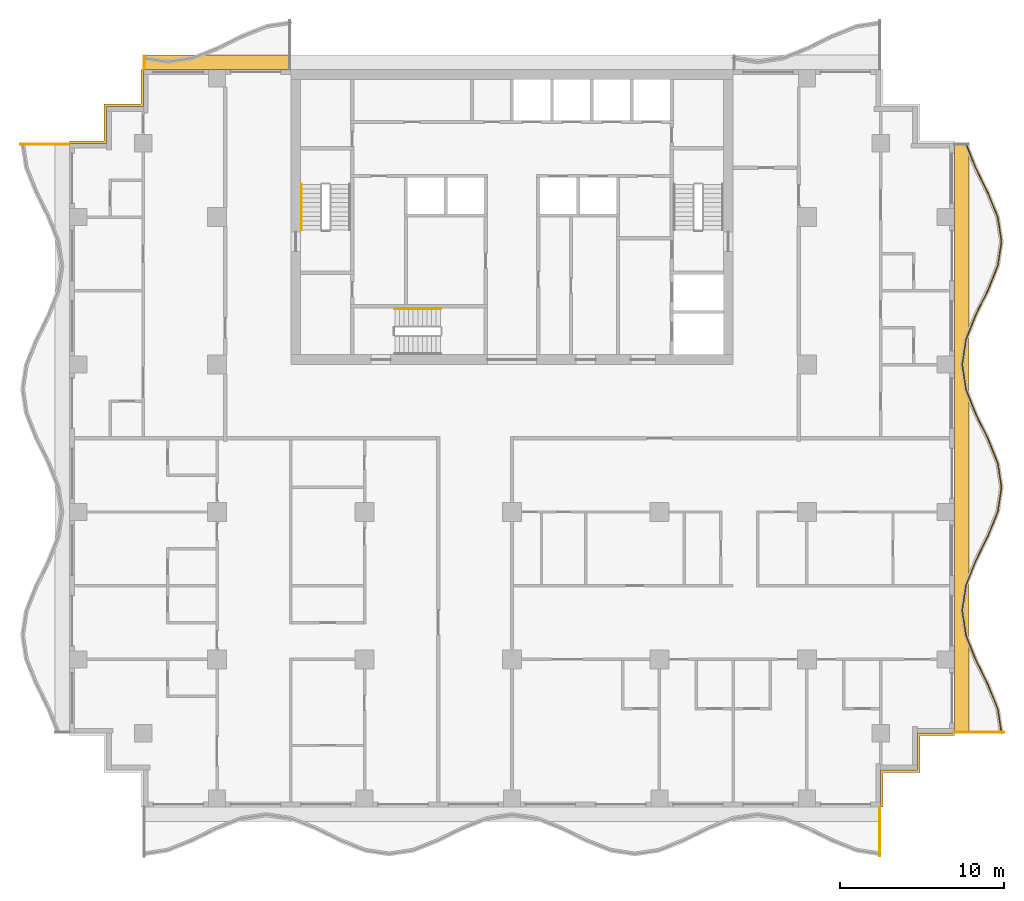
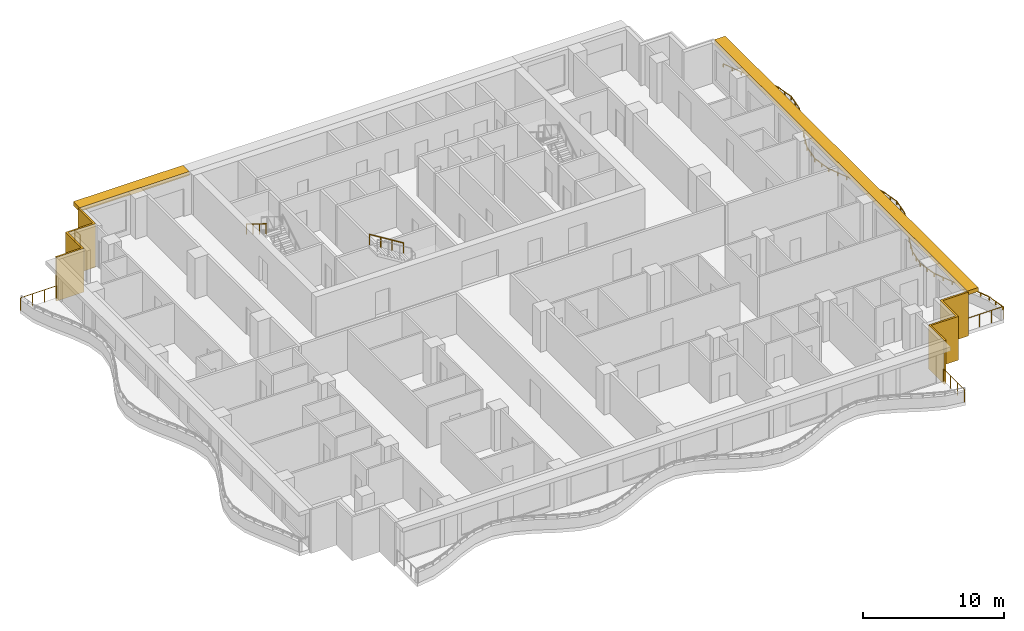
# One storey, part 10 of 11: 7 railings, 4 shading devices.
"""IFC4 building model written with IfcOpenShell, lengths in metres."""

from ifc_helpers import new_model, si_unit, direction, frame, origin, origin_2d, place, context, subcontext, project, spatial, polyline, rectangle, circle, outline, extrude, material, layer, layer_set, type_object, element, save


model = new_model("IFC4")

# Units and contexts
model_context = context("Model", 3, precision=1e-05, world=origin(), true_north=direction((0.0, 1.0)))
body_context = subcontext(model_context, "Body", "Model", "MODEL_VIEW")
ifc_project = project(units=[si_unit("LENGTHUNIT", "METRE"), si_unit("AREAUNIT", "SQUARE_METRE"), si_unit("VOLUMEUNIT", "CUBIC_METRE"), si_unit("PLANEANGLEUNIT", "RADIAN"), si_unit("MASSUNIT", "GRAM", prefix="KILO")], contexts=[model_context])

# Site, building, storey
site_placement = place(None, origin())
site = spatial("IfcSite", under=ifc_project, at=site_placement, CompositionType="ELEMENT")
building_placement = place(site_placement, origin())
building = spatial("IfcBuilding", under=site, at=building_placement, Name="Orbiselva Terraces", CompositionType="ELEMENT")
storey_placement = place(building_placement, frame((0.0, 0.0, 188.2)))
storey = spatial("IfcBuildingStorey", under=building, at=storey_placement, Name="L47", CompositionType="ELEMENT", Elevation=188.2)

# Railings
ifc_material_1 = material(Name="Stainless steel", Category="steel")
railing_type_1 = type_object("IfcRailingType", Name="CORE-HANDRAIL-900", PredefinedType="HANDRAIL", material=ifc_material_1)
railing_1_placement = place(storey_placement, frame((-12.85, 15.5, 2.072727)))
element("IfcRailing", 1, at=railing_1_placement, inside=storey, type_object=railing_type_1, Name="L47 S1 stair handrail 2", PredefinedType="HANDRAIL", context=body_context, shape_type="SweptSolid", body=[
    extrude(circle(Radius=0.024, at=origin_2d()), frame((0.0, 0.0, 0.876), z_axis=(0.0, -0.851088519012, 0.52502222125), x_axis=(1.0, 0.0, 0.0)), (0.0, 0.0, 1.0), 3.289905),
    extrude(circle(Radius=0.021, at=origin_2d()), origin(), (0.0, 0.0, 1.0), 0.852),
    extrude(circle(Radius=0.021, at=origin_2d()), frame((0.0, -0.933333, 0.575758)), (0.0, 0.0, 1.0), 0.852),
    extrude(circle(Radius=0.021, at=origin_2d()), frame((0.0, -1.866667, 1.151515)), (0.0, 0.0, 1.0), 0.852),
    extrude(circle(Radius=0.021, at=origin_2d()), frame((0.0, -2.8, 1.727273)), (0.0, 0.0, 1.0), 0.852),
])
railing_2_placement = place(storey_placement, frame((-4.35, 7.9, 2.072727)))
element("IfcRailing", 2, at=railing_2_placement, inside=storey, type_object=railing_type_1, Name="L47 S3 stair handrail 2", PredefinedType="HANDRAIL", context=body_context, shape_type="SweptSolid", body=[
    extrude(circle(Radius=0.024, at=origin_2d()), frame((0.0, 0.0, 0.876), z_axis=(-0.851088519012, 0.0, 0.52502222125), x_axis=(0.0, -1.0, 0.0)), (0.0, 0.0, 1.0), 3.289905),
    extrude(circle(Radius=0.021, at=origin_2d()), origin(), (0.0, 0.0, 1.0), 0.852),
    extrude(circle(Radius=0.021, at=origin_2d()), frame((-0.933333, 0.0, 0.575758)), (0.0, 0.0, 1.0), 0.852),
    extrude(circle(Radius=0.021, at=origin_2d()), frame((-1.866667, 0.0, 1.151515)), (0.0, 0.0, 1.0), 0.852),
    extrude(circle(Radius=0.021, at=origin_2d()), frame((-2.8, 0.0, 1.727273)), (0.0, 0.0, 1.0), 0.852),
])
ifc_material_2 = material(Name="Bonded two-ply safety glass balustrade, stainless steel posts", Category="steel")
railing_type_2 = type_object("IfcRailingType", Name="ENV-BALUSTRADE-1200", PredefinedType="BALUSTRADE", material=ifc_material_2)
railing_3_placement = place(storey_placement, frame((29.876434, -18.018879, 0.9)))
element("IfcRailing", 3, at=railing_3_placement, inside=storey, type_object=railing_type_2, Name="Balcony balustrade L47 E", PredefinedType="BALUSTRADE", context=body_context, shape_type="SweptSolid", body=[
    extrude(outline(polyline([(0.028868, 0.0), (0.014434, 0.025), (-0.014434, 0.025), (-0.028868, 0.0), (-0.014434, -0.025), (0.014434, -0.025), (0.028868, 0.0)])), frame((0.0, 0.0, 0.275), z_axis=(-0.151034103443, 0.988528552748, 0.0), x_axis=(-0.988528552748, -0.151034103443, 0.0)), (0.0, 0.0, 1.0), 1.503038),
    extrude(outline(polyline([(0.028868, 0.0), (0.014434, 0.025), (-0.014434, 0.025), (-0.028868, 0.0), (-0.014434, -0.025), (0.014434, -0.025), (0.028868, 0.0)])), frame((-0.22701, 1.485796, 0.275), z_axis=(-0.371391000387, 0.928476561272, 0.0), x_axis=(-0.928476561272, -0.371391000387, 0.0)), (0.0, 0.0, 1.0), 1.596261),
    extrude(outline(polyline([(0.028868, 0.0), (0.014434, 0.025), (-0.014434, 0.025), (-0.028868, 0.0), (-0.014434, -0.025), (0.014434, -0.025), (0.028868, 0.0)])), frame((-0.819847, 2.967887, 0.275), z_axis=(-0.443212307306, 0.896416672454, 0.0), x_axis=(-0.896416672454, -0.443212307306, 0.0)), (0.0, 0.0, 1.0), 1.673329),
    extrude(outline(polyline([(0.028868, 0.0), (0.014434, 0.025), (-0.014434, 0.025), (-0.028868, 0.0), (-0.014434, -0.025), (0.014434, -0.025), (0.028868, 0.0)])), frame((-1.561487, 4.467887, 0.275), z_axis=(-0.371390359967, 0.92847681744, 0.0), x_axis=(-0.92847681744, -0.371390359967, 0.0)), (0.0, 0.0, 1.0), 1.634838),
    extrude(outline(polyline([(0.028868, 0.0), (0.014434, 0.025), (-0.014434, 0.025), (-0.028868, 0.0), (-0.014434, -0.025), (0.014434, -0.025), (0.028868, 0.0)])), frame((-2.16865, 5.985796, 0.275), z_axis=(-0.151034211256, 0.988528536275, 0.0), x_axis=(-0.988528536275, -0.151034211256, 0.0)), (0.0, 0.0, 1.0), 1.550874),
    extrude(outline(polyline([(0.028868, 0.0), (0.014434, 0.025), (-0.014434, 0.025), (-0.028868, 0.0), (-0.014434, -0.025), (0.014434, -0.025), (0.028868, 0.0)])), frame((-2.402885, 7.518879, 0.275), z_axis=(0.151034211256, 0.988528536275, 0.0), x_axis=(-0.988528536275, 0.151034211256, 0.0)), (0.0, 0.0, 1.0), 1.550874),
    extrude(outline(polyline([(0.028868, 0.0), (0.014434, 0.025), (-0.014434, 0.025), (-0.028868, 0.0), (-0.014434, -0.025), (0.014434, -0.025), (0.028868, 0.0)])), frame((-2.16865, 9.051962, 0.275), z_axis=(0.371390359967, 0.92847681744, 0.0), x_axis=(-0.92847681744, 0.371390359967, 0.0)), (0.0, 0.0, 1.0), 1.634838),
    extrude(outline(polyline([(0.028868, 0.0), (0.014434, 0.025), (-0.014434, 0.025), (-0.028868, 0.0), (-0.014434, -0.025), (0.014434, -0.025), (0.028868, 0.0)])), frame((-1.561487, 10.569871, 0.275), z_axis=(0.443212307306, 0.896416672454, 0.0), x_axis=(-0.896416672454, 0.443212307306, 0.0)), (0.0, 0.0, 1.0), 1.673329),
    extrude(outline(polyline([(0.028868, 0.0), (0.014434, 0.025), (-0.014434, 0.025), (-0.028868, 0.0), (-0.014434, -0.025), (0.014434, -0.025), (0.028868, 0.0)])), frame((-0.819847, 12.069871, 0.275), z_axis=(0.371391000387, 0.928476561272, 0.0), x_axis=(-0.928476561272, 0.371391000387, 0.0)), (0.0, 0.0, 1.0), 1.596261),
    extrude(outline(polyline([(0.028868, 0.0), (0.014434, 0.025), (-0.014434, 0.025), (-0.028868, 0.0), (-0.014434, -0.025), (0.014434, -0.025), (0.028868, 0.0)])), frame((-0.22701, 13.551962, 0.275), z_axis=(0.151033749027, 0.988528606898, 0.0), x_axis=(-0.988528606898, 0.151033749027, 0.0)), (0.0, 0.0, 1.0), 1.48394),
    extrude(outline(polyline([(0.028868, 0.0), (0.014434, 0.025), (-0.014434, 0.025), (-0.028868, 0.0), (-0.014434, -0.025), (0.014434, -0.025), (0.028868, 0.0)])), frame((-0.002885, 15.018879, 0.275), z_axis=(-0.151033749027, 0.988528606898, 0.0), x_axis=(-0.988528606898, -0.151033749027, 0.0)), (0.0, 0.0, 1.0), 1.48394),
    extrude(outline(polyline([(0.028868, 0.0), (0.014434, 0.025), (-0.014434, 0.025), (-0.028868, 0.0), (-0.014434, -0.025), (0.014434, -0.025), (0.028868, 0.0)])), frame((-0.22701, 16.485796, 0.275), z_axis=(-0.371391000387, 0.928476561272, 0.0), x_axis=(-0.928476561272, -0.371391000387, 0.0)), (0.0, 0.0, 1.0), 1.596261),
    extrude(outline(polyline([(0.028868, 0.0), (0.014434, 0.025), (-0.014434, 0.025), (-0.028868, 0.0), (-0.014434, -0.025), (0.014434, -0.025), (0.028868, 0.0)])), frame((-0.819847, 17.967887, 0.275), z_axis=(-0.443212307306, 0.896416672454, 0.0), x_axis=(-0.896416672454, -0.443212307306, 0.0)), (0.0, 0.0, 1.0), 1.673329),
    extrude(outline(polyline([(0.028868, 0.0), (0.014434, 0.025), (-0.014434, 0.025), (-0.028868, 0.0), (-0.014434, -0.025), (0.014434, -0.025), (0.028868, 0.0)])), frame((-1.561487, 19.467887, 0.275), z_axis=(-0.371390359967, 0.92847681744, 0.0), x_axis=(-0.92847681744, -0.371390359967, 0.0)), (0.0, 0.0, 1.0), 1.634838),
    extrude(outline(polyline([(0.028868, 0.0), (0.014434, 0.025), (-0.014434, 0.025), (-0.028868, 0.0), (-0.014434, -0.025), (0.014434, -0.025), (0.028868, 0.0)])), frame((-2.16865, 20.985796, 0.275), z_axis=(-0.151034211256, 0.988528536275, 0.0), x_axis=(-0.988528536275, -0.151034211256, 0.0)), (0.0, 0.0, 1.0), 1.550874),
    extrude(outline(polyline([(0.028868, 0.0), (0.014434, 0.025), (-0.014434, 0.025), (-0.028868, 0.0), (-0.014434, -0.025), (0.014434, -0.025), (0.028868, 0.0)])), frame((-2.402885, 22.518879, 0.275), z_axis=(0.151034211256, 0.988528536275, 0.0), x_axis=(-0.988528536275, 0.151034211256, 0.0)), (0.0, 0.0, 1.0), 1.550874),
    extrude(outline(polyline([(0.028868, 0.0), (0.014434, 0.025), (-0.014434, 0.025), (-0.028868, 0.0), (-0.014434, -0.025), (0.014434, -0.025), (0.028868, 0.0)])), frame((-2.16865, 24.051962, 0.275), z_axis=(0.371390359967, 0.92847681744, 0.0), x_axis=(-0.92847681744, 0.371390359967, 0.0)), (0.0, 0.0, 1.0), 1.634838),
    extrude(outline(polyline([(0.028868, 0.0), (0.014434, 0.025), (-0.014434, 0.025), (-0.028868, 0.0), (-0.014434, -0.025), (0.014434, -0.025), (0.028868, 0.0)])), frame((-1.561487, 25.569871, 0.275), z_axis=(0.443212307306, 0.896416672454, 0.0), x_axis=(-0.896416672454, 0.443212307306, 0.0)), (0.0, 0.0, 1.0), 1.673329),
    extrude(outline(polyline([(0.028868, 0.0), (0.014434, 0.025), (-0.014434, 0.025), (-0.028868, 0.0), (-0.014434, -0.025), (0.014434, -0.025), (0.028868, 0.0)])), frame((-0.819847, 27.069871, 0.275), z_axis=(0.371391000387, 0.928476561272, 0.0), x_axis=(-0.928476561272, 0.371391000387, 0.0)), (0.0, 0.0, 1.0), 1.596261),
    extrude(outline(polyline([(0.028868, 0.0), (0.014434, 0.025), (-0.014434, 0.025), (-0.028868, 0.0), (-0.014434, -0.025), (0.014434, -0.025), (0.028868, 0.0)])), frame((-0.22701, 28.551962, 0.275), z_axis=(0.151033749027, 0.988528606898, 0.0), x_axis=(-0.988528606898, 0.151033749027, 0.0)), (0.0, 0.0, 1.0), 1.48394),
    extrude(outline(polyline([(0.028868, 0.0), (0.014434, 0.025), (-0.014434, 0.025), (-0.028868, 0.0), (-0.014434, -0.025), (0.014434, -0.025), (0.028868, 0.0)])), frame((-0.002885, 30.018879, 0.275), z_axis=(-0.151033749027, 0.988528606898, 0.0), x_axis=(-0.988528606898, -0.151033749027, 0.0)), (0.0, 0.0, 1.0), 1.48394),
    extrude(outline(polyline([(0.028868, 0.0), (0.014434, 0.025), (-0.014434, 0.025), (-0.028868, 0.0), (-0.014434, -0.025), (0.014434, -0.025), (0.028868, 0.0)])), frame((-0.22701, 31.485796, 0.275), z_axis=(-0.371391000387, 0.928476561272, 0.0), x_axis=(-0.928476561272, -0.371391000387, 0.0)), (0.0, 0.0, 1.0), 1.596261),
    extrude(outline(polyline([(0.028868, 0.0), (0.014434, 0.025), (-0.014434, 0.025), (-0.028868, 0.0), (-0.014434, -0.025), (0.014434, -0.025), (0.028868, 0.0)])), frame((-0.819847, 32.967887, 0.275), z_axis=(-0.443212307306, 0.896416672454, 0.0), x_axis=(-0.896416672454, -0.443212307306, 0.0)), (0.0, 0.0, 1.0), 1.673329),
    extrude(outline(polyline([(0.028868, 0.0), (0.014434, 0.025), (-0.014434, 0.025), (-0.028868, 0.0), (-0.014434, -0.025), (0.014434, -0.025), (0.028868, 0.0)])), frame((-1.561487, 34.467887, 0.275), z_axis=(-0.371390569957, 0.928476733444, 0.0), x_axis=(-0.928476733444, -0.371390569957, 0.0)), (0.0, 0.0, 1.0), 1.620469),
    extrude(rectangle(XDim=0.05, YDim=0.05, at=origin_2d()), origin(), (0.0, 0.0, 1.0), 0.25),
    extrude(rectangle(XDim=0.05, YDim=0.05, at=origin_2d()), frame((-0.113505, 0.742898, 0.0)), (0.0, 0.0, 1.0), 0.25),
    extrude(rectangle(XDim=0.05, YDim=0.05, at=origin_2d()), frame((-0.22701, 1.485796, 0.0)), (0.0, 0.0, 1.0), 0.25),
    extrude(rectangle(XDim=0.05, YDim=0.05, at=origin_2d()), frame((-0.523428, 2.226841, 0.0)), (0.0, 0.0, 1.0), 0.25),
    extrude(rectangle(XDim=0.05, YDim=0.05, at=origin_2d()), frame((-0.819847, 2.967887, 0.0)), (0.0, 0.0, 1.0), 0.25),
    extrude(rectangle(XDim=0.05, YDim=0.05, at=origin_2d()), frame((-1.190667, 3.717887, 0.0)), (0.0, 0.0, 1.0), 0.25),
    extrude(rectangle(XDim=0.05, YDim=0.05, at=origin_2d()), frame((-1.561487, 4.467887, 0.0)), (0.0, 0.0, 1.0), 0.25),
    extrude(rectangle(XDim=0.05, YDim=0.05, at=origin_2d()), frame((-1.865068, 5.226841, 0.0)), (0.0, 0.0, 1.0), 0.25),
    extrude(rectangle(XDim=0.05, YDim=0.05, at=origin_2d()), frame((-2.16865, 5.985796, 0.0)), (0.0, 0.0, 1.0), 0.25),
    extrude(rectangle(XDim=0.05, YDim=0.05, at=origin_2d()), frame((-2.285768, 6.752337, 0.0)), (0.0, 0.0, 1.0), 0.25),
    extrude(rectangle(XDim=0.05, YDim=0.05, at=origin_2d()), frame((-2.402885, 7.518879, 0.0)), (0.0, 0.0, 1.0), 0.25),
    extrude(rectangle(XDim=0.05, YDim=0.05, at=origin_2d()), frame((-2.285768, 8.28542, 0.0)), (0.0, 0.0, 1.0), 0.25),
    extrude(rectangle(XDim=0.05, YDim=0.05, at=origin_2d()), frame((-2.16865, 9.051962, 0.0)), (0.0, 0.0, 1.0), 0.25),
    extrude(rectangle(XDim=0.05, YDim=0.05, at=origin_2d()), frame((-1.865068, 9.810916, 0.0)), (0.0, 0.0, 1.0), 0.25),
    extrude(rectangle(XDim=0.05, YDim=0.05, at=origin_2d()), frame((-1.561487, 10.569871, 0.0)), (0.0, 0.0, 1.0), 0.25),
    extrude(rectangle(XDim=0.05, YDim=0.05, at=origin_2d()), frame((-1.190667, 11.319871, 0.0)), (0.0, 0.0, 1.0), 0.25),
    extrude(rectangle(XDim=0.05, YDim=0.05, at=origin_2d()), frame((-0.819847, 12.069871, 0.0)), (0.0, 0.0, 1.0), 0.25),
    extrude(rectangle(XDim=0.05, YDim=0.05, at=origin_2d()), frame((-0.523428, 12.810916, 0.0)), (0.0, 0.0, 1.0), 0.25),
    extrude(rectangle(XDim=0.05, YDim=0.05, at=origin_2d()), frame((-0.22701, 13.551962, 0.0)), (0.0, 0.0, 1.0), 0.25),
    extrude(rectangle(XDim=0.05, YDim=0.05, at=origin_2d()), frame((-0.114947, 14.28542, 0.0)), (0.0, 0.0, 1.0), 0.25),
    extrude(rectangle(XDim=0.05, YDim=0.05, at=origin_2d()), frame((-0.002885, 15.018879, 0.0)), (0.0, 0.0, 1.0), 0.25),
    extrude(rectangle(XDim=0.05, YDim=0.05, at=origin_2d()), frame((-0.114947, 15.752337, 0.0)), (0.0, 0.0, 1.0), 0.25),
    extrude(rectangle(XDim=0.05, YDim=0.05, at=origin_2d()), frame((-0.22701, 16.485796, 0.0)), (0.0, 0.0, 1.0), 0.25),
    extrude(rectangle(XDim=0.05, YDim=0.05, at=origin_2d()), frame((-0.523428, 17.226842, 0.0)), (0.0, 0.0, 1.0), 0.25),
    extrude(rectangle(XDim=0.05, YDim=0.05, at=origin_2d()), frame((-0.819847, 17.967887, 0.0)), (0.0, 0.0, 1.0), 0.25),
    extrude(rectangle(XDim=0.05, YDim=0.05, at=origin_2d()), frame((-1.190667, 18.717887, 0.0)), (0.0, 0.0, 1.0), 0.25),
    extrude(rectangle(XDim=0.05, YDim=0.05, at=origin_2d()), frame((-1.561487, 19.467887, 0.0)), (0.0, 0.0, 1.0), 0.25),
    extrude(rectangle(XDim=0.05, YDim=0.05, at=origin_2d()), frame((-1.865068, 20.226842, 0.0)), (0.0, 0.0, 1.0), 0.25),
    extrude(rectangle(XDim=0.05, YDim=0.05, at=origin_2d()), frame((-2.16865, 20.985796, 0.0)), (0.0, 0.0, 1.0), 0.25),
    extrude(rectangle(XDim=0.05, YDim=0.05, at=origin_2d()), frame((-2.285768, 21.752337, 0.0)), (0.0, 0.0, 1.0), 0.25),
    extrude(rectangle(XDim=0.05, YDim=0.05, at=origin_2d()), frame((-2.402885, 22.518879, 0.0)), (0.0, 0.0, 1.0), 0.25),
    extrude(rectangle(XDim=0.05, YDim=0.05, at=origin_2d()), frame((-2.285768, 23.28542, 0.0)), (0.0, 0.0, 1.0), 0.25),
    extrude(rectangle(XDim=0.05, YDim=0.05, at=origin_2d()), frame((-2.16865, 24.051962, 0.0)), (0.0, 0.0, 1.0), 0.25),
    extrude(rectangle(XDim=0.05, YDim=0.05, at=origin_2d()), frame((-1.865068, 24.810916, 0.0)), (0.0, 0.0, 1.0), 0.25),
    extrude(rectangle(XDim=0.05, YDim=0.05, at=origin_2d()), frame((-1.561487, 25.569871, 0.0)), (0.0, 0.0, 1.0), 0.25),
    extrude(rectangle(XDim=0.05, YDim=0.05, at=origin_2d()), frame((-1.190667, 26.319871, 0.0)), (0.0, 0.0, 1.0), 0.25),
    extrude(rectangle(XDim=0.05, YDim=0.05, at=origin_2d()), frame((-0.819847, 27.069871, 0.0)), (0.0, 0.0, 1.0), 0.25),
    extrude(rectangle(XDim=0.05, YDim=0.05, at=origin_2d()), frame((-0.523428, 27.810916, 0.0)), (0.0, 0.0, 1.0), 0.25),
    extrude(rectangle(XDim=0.05, YDim=0.05, at=origin_2d()), frame((-0.22701, 28.551962, 0.0)), (0.0, 0.0, 1.0), 0.25),
    extrude(rectangle(XDim=0.05, YDim=0.05, at=origin_2d()), frame((-0.114947, 29.28542, 0.0)), (0.0, 0.0, 1.0), 0.25),
    extrude(rectangle(XDim=0.05, YDim=0.05, at=origin_2d()), frame((-0.002885, 30.018879, 0.0)), (0.0, 0.0, 1.0), 0.25),
    extrude(rectangle(XDim=0.05, YDim=0.05, at=origin_2d()), frame((-0.114947, 30.752338, 0.0)), (0.0, 0.0, 1.0), 0.25),
    extrude(rectangle(XDim=0.05, YDim=0.05, at=origin_2d()), frame((-0.22701, 31.485796, 0.0)), (0.0, 0.0, 1.0), 0.25),
    extrude(rectangle(XDim=0.05, YDim=0.05, at=origin_2d()), frame((-0.523428, 32.226842, 0.0)), (0.0, 0.0, 1.0), 0.25),
    extrude(rectangle(XDim=0.05, YDim=0.05, at=origin_2d()), frame((-0.819847, 32.967887, 0.0)), (0.0, 0.0, 1.0), 0.25),
    extrude(rectangle(XDim=0.05, YDim=0.05, at=origin_2d()), frame((-1.190667, 33.717887, 0.0)), (0.0, 0.0, 1.0), 0.25),
    extrude(rectangle(XDim=0.05, YDim=0.05, at=origin_2d()), frame((-1.561487, 34.467887, 0.0)), (0.0, 0.0, 1.0), 0.25),
    extrude(rectangle(XDim=0.05, YDim=0.05, at=origin_2d()), frame((-1.8624, 35.220171, 0.0)), (0.0, 0.0, 1.0), 0.25),
    extrude(rectangle(XDim=0.05, YDim=0.05, at=origin_2d()), frame((-2.163314, 35.972455, 0.0)), (0.0, 0.0, 1.0), 0.25),
])
ifc_material_3 = material(Name="Stainless steel rail and posts", Category="steel")
railing_type_3 = type_object("IfcRailingType", Name="ENV-GUARD-1105", PredefinedType="BALUSTRADE", material=ifc_material_3)
railing_4_placement = place(storey_placement, frame((22.44, -25.499621, 0.0)))
element("IfcRailing", 4, at=railing_4_placement, inside=storey, type_object=railing_type_3, Name="Balcony end guard L47 S", PredefinedType="BALUSTRADE", context=body_context, shape_type="SweptSolid", body=[
    extrude(outline(polyline([(0.028868, 0.0), (0.014434, 0.025), (-0.014434, 0.025), (-0.028868, 0.0), (-0.014434, -0.025), (0.014434, -0.025), (0.028868, 0.0)])), frame((0.0, 0.0, 1.08), z_axis=(0.0, 1.0, 0.0), x_axis=(-1.0, 0.0, 0.0)), (0.0, 0.0, 1.0), 2.974621),
    extrude(rectangle(XDim=0.05, YDim=0.05, at=origin_2d()), origin(), (0.0, 0.0, 1.0), 1.055),
    extrude(rectangle(XDim=0.05, YDim=0.05, at=origin_2d()), frame((0.0, 0.99154, 0.0)), (0.0, 0.0, 1.0), 1.055),
    extrude(rectangle(XDim=0.05, YDim=0.05, at=origin_2d()), frame((0.0, 1.983081, 0.0)), (0.0, 0.0, 1.0), 1.055),
    extrude(rectangle(XDim=0.05, YDim=0.05, at=origin_2d()), frame((0.0, 2.974621, 0.0)), (0.0, 0.0, 1.0), 1.055),
])
railing_5_placement = place(storey_placement, frame((29.999621, -17.94, 0.0)))
element("IfcRailing", 5, at=railing_5_placement, inside=storey, type_object=railing_type_3, Name="Balcony end guard L47 E", PredefinedType="BALUSTRADE", context=body_context, shape_type="SweptSolid", body=[
    extrude(outline(polyline([(0.028868, 0.0), (0.014434, 0.025), (-0.014434, 0.025), (-0.028868, 0.0), (-0.014434, -0.025), (0.014434, -0.025), (0.028868, 0.0)])), frame((0.0, 0.0, 1.08), z_axis=(-1.0, 0.0, 0.0), x_axis=(0.0, -1.0, 0.0)), (0.0, 0.0, 1.0), 2.974621),
    extrude(rectangle(XDim=0.05, YDim=0.05, at=origin_2d()), origin(), (0.0, 0.0, 1.0), 1.055),
    extrude(rectangle(XDim=0.05, YDim=0.05, at=origin_2d()), frame((-0.99154, 0.0, 0.0)), (0.0, 0.0, 1.0), 1.055),
    extrude(rectangle(XDim=0.05, YDim=0.05, at=origin_2d()), frame((-1.983081, 0.0, 0.0)), (0.0, 0.0, 1.0), 1.055),
    extrude(rectangle(XDim=0.05, YDim=0.05, at=origin_2d()), frame((-2.974621, 0.0, 0.0)), (0.0, 0.0, 1.0), 1.055),
])
railing_6_placement = place(storey_placement, frame((-22.44, 23.311761, 0.0)))
element("IfcRailing", 6, at=railing_6_placement, inside=storey, type_object=railing_type_3, Name="Balcony end guard L47 NW", PredefinedType="BALUSTRADE", context=body_context, shape_type="SweptSolid", body=[
    extrude(outline(polyline([(0.028868, 0.0), (0.014434, 0.025), (-0.014434, 0.025), (-0.028868, 0.0), (-0.014434, -0.025), (0.014434, -0.025), (0.028868, 0.0)])), frame((0.0, 0.0, 1.08), z_axis=(0.0, -1.0, 0.0), x_axis=(1.0, 0.0, 0.0)), (0.0, 0.0, 1.0), 0.786761),
    extrude(rectangle(XDim=0.05, YDim=0.05, at=origin_2d()), origin(), (0.0, 0.0, 1.0), 1.055),
    extrude(rectangle(XDim=0.05, YDim=0.05, at=origin_2d()), frame((0.0, -0.786761, 0.0)), (0.0, 0.0, 1.0), 1.055),
])
railing_7_placement = place(storey_placement, frame((-29.999621, 17.94, 0.0)))
element("IfcRailing", 7, at=railing_7_placement, inside=storey, type_object=railing_type_3, Name="Balcony end guard L47 W", PredefinedType="BALUSTRADE", context=body_context, shape_type="SweptSolid", body=[
    extrude(outline(polyline([(0.028868, 0.0), (0.014434, 0.025), (-0.014434, 0.025), (-0.028868, 0.0), (-0.014434, -0.025), (0.014434, -0.025), (0.028868, 0.0)])), frame((0.0, 0.0, 1.08), z_axis=(1.0, 0.0, 0.0), x_axis=(0.0, 1.0, 0.0)), (0.0, 0.0, 1.0), 2.974621),
    extrude(rectangle(XDim=0.05, YDim=0.05, at=origin_2d()), origin(), (0.0, 0.0, 1.0), 1.055),
    extrude(rectangle(XDim=0.05, YDim=0.05, at=origin_2d()), frame((0.99154, 0.0, 0.0)), (0.0, 0.0, 1.0), 1.055),
    extrude(rectangle(XDim=0.05, YDim=0.05, at=origin_2d()), frame((1.983081, 0.0, 0.0)), (0.0, 0.0, 1.0), 1.055),
    extrude(rectangle(XDim=0.05, YDim=0.05, at=origin_2d()), frame((2.974621, 0.0, 0.0)), (0.0, 0.0, 1.0), 1.055),
])

# Shading devices
ifc_material_4 = material(Name="Terracotta louvre screen", Category="masonry")
ifc_layer_1 = layer(ifc_material_4, 0.15)
ifc_layer_set_1 = layer_set([ifc_layer_1], Name="Terracotta louvre screen")
shading_device_type_1 = type_object("IfcShadingDeviceType", Name="ENV-SCREEN-150", PredefinedType="USERDEFINED", material=ifc_layer_set_1)
shading_device_1_placement = place(storey_placement, frame((0.0, 0.0, -0.3)))
element("IfcShadingDevice", 8, at=shading_device_1_placement, inside=storey, type_object=shading_device_type_1, Name="Louvre screen L47 NW", ObjectType="SCREEN", PredefinedType="USERDEFINED", context=body_context, shape_type="SweptSolid", body=[
    extrude(outline(polyline([(-22.65, 22.5), (-22.65, 20.4), (-24.9, 20.4), (-24.9, 18.15), (-27.0, 18.15), (-27.0, 18.0), (-24.75, 18.0), (-24.75, 20.25), (-22.5, 20.25), (-22.5, 22.5), (-22.65, 22.5)])), origin(), (0.0, 0.0, 1.0), 3.8),
])
shading_device_2_placement = place(storey_placement, frame((0.0, 0.0, -0.3)))
element("IfcShadingDevice", 9, at=shading_device_2_placement, inside=storey, type_object=shading_device_type_1, Name="Louvre screen L47 SE", ObjectType="SCREEN", PredefinedType="USERDEFINED", context=body_context, shape_type="SweptSolid", body=[
    extrude(outline(polyline([(22.65, -22.5), (22.65, -20.4), (24.9, -20.4), (24.9, -18.15), (27.0, -18.15), (27.0, -18.0), (24.75, -18.0), (24.75, -20.25), (22.5, -20.25), (22.5, -22.5), (22.65, -22.5)])), origin(), (0.0, 0.0, 1.0), 3.8),
])
ifc_material_5 = material(Name="Terracotta baguette sunshade", Category="masonry")
ifc_layer_2 = layer(ifc_material_5, 0.35)
ifc_layer_set_2 = layer_set([ifc_layer_2], Name="Terracotta baguette sunshade")
shading_device_type_2 = type_object("IfcShadingDeviceType", Name="ENV-SUNSHADE-900x350", PredefinedType="USERDEFINED", material=ifc_layer_set_2)
shading_device_3_placement = place(storey_placement, frame((0.0, 0.0, 3.15)))
element("IfcShadingDevice", 10, at=shading_device_3_placement, inside=storey, type_object=shading_device_type_2, Name="Sunshade band L47 E", ObjectType="SUNSHADE", PredefinedType="USERDEFINED", context=body_context, shape_type="SweptSolid", body=[
    extrude(outline(polyline([(27.9, -18.0), (27.9, 18.0), (27.0, 18.0), (27.0, -18.0), (27.9, -18.0)])), origin(), (0.0, 0.0, 1.0), 0.35),
])
shading_device_4_placement = place(storey_placement, frame((0.0, 0.0, 3.15)))
element("IfcShadingDevice", 11, at=shading_device_4_placement, inside=storey, type_object=shading_device_type_2, Name="Sunshade band L47 NW", ObjectType="SUNSHADE", PredefinedType="USERDEFINED", context=body_context, shape_type="SweptSolid", body=[
    extrude(outline(polyline([(-13.5, 23.4), (-22.5, 23.4), (-22.5, 22.5), (-13.5, 22.5), (-13.5, 23.4)])), origin(), (0.0, 0.0, 1.0), 0.35),
])

save(model, "model.ifc")
